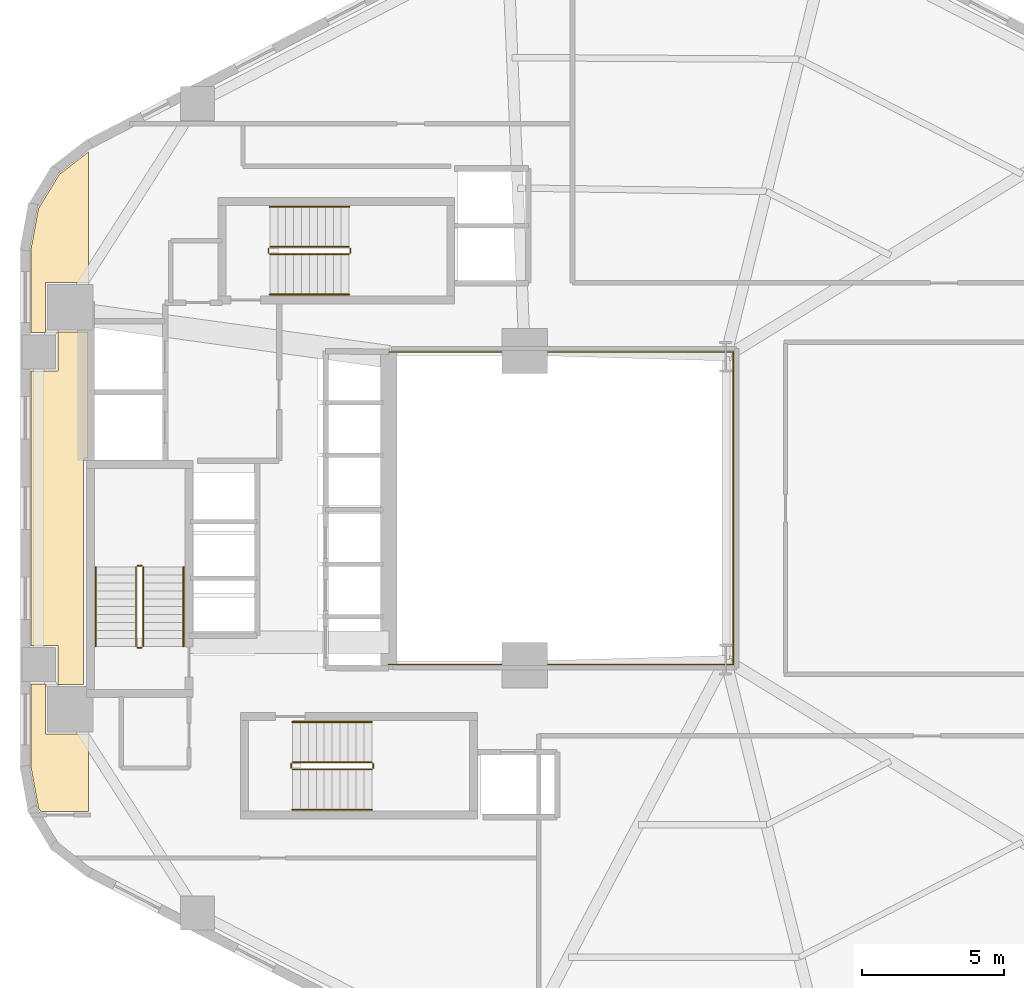
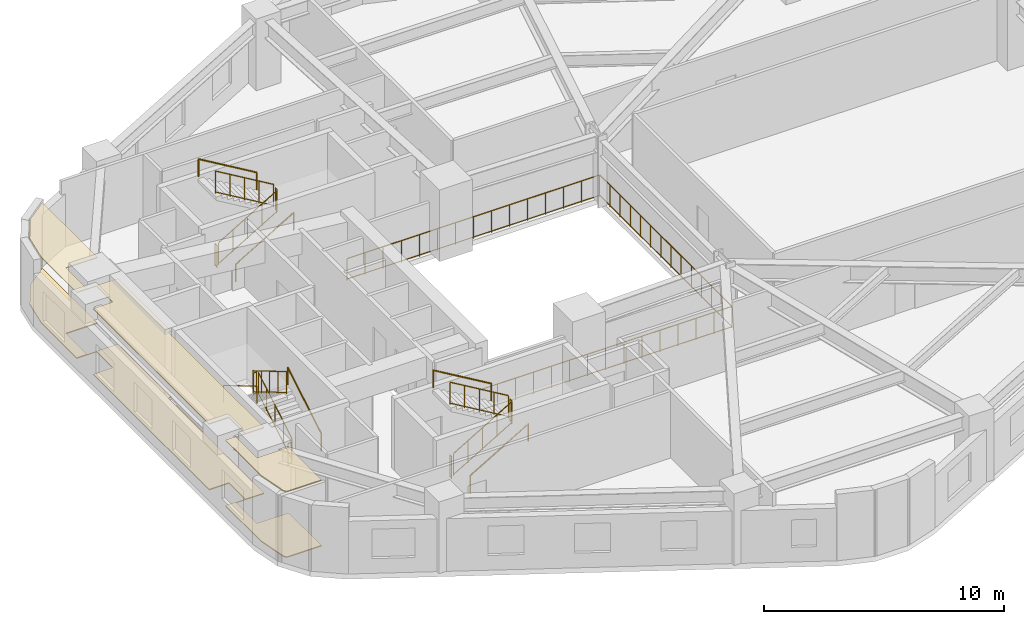
# One storey, part 6 of 6: 19 railings, 2 coverings.
"""IFC4 building model written with IfcOpenShell, lengths in metres."""

from ifc_helpers import new_model, si_unit, direction, frame, origin, origin_2d, place, context, subcontext, project, spatial, polyline, circle, outline, extrude, material, layer, layer_set, type_object, element, save


model = new_model("IFC4")

# Units and contexts
model_context = context("Model", 3, precision=1e-05, world=origin(), true_north=direction((0.0, 1.0)))
body_context = subcontext(model_context, "Body", "Model", "MODEL_VIEW")
ifc_project = project(units=[si_unit("LENGTHUNIT", "METRE"), si_unit("AREAUNIT", "SQUARE_METRE"), si_unit("VOLUMEUNIT", "CUBIC_METRE"), si_unit("PLANEANGLEUNIT", "RADIAN"), si_unit("MASSUNIT", "GRAM", prefix="KILO"), si_unit("THERMODYNAMICTEMPERATUREUNIT", "KELVIN"), si_unit("POWERUNIT", "WATT")], contexts=[model_context])

# Site, building, storey
site_placement = place(None, origin())
site = spatial("IfcSite", under=ifc_project, at=site_placement, CompositionType="ELEMENT")
building_placement = place(site_placement, origin())
building = spatial("IfcBuilding", under=site, at=building_placement, Name="Skarre Station Tower", CompositionType="ELEMENT")
storey_placement = place(building_placement, frame((0.0, 0.0, 30.64990234375)))
storey = spatial("IfcBuildingStorey", under=building, at=storey_placement, Name="L07", CompositionType="ELEMENT", Elevation=30.64990234375)

# Railing
ifc_material_1 = material(Name="Bronze Anodized Steel & Laminated Glass Balustrade", Category="steel")
railing_type_1 = type_object("IfcRailingType", Name="Atrium Void & Mezzanine Guard Balustrade 1120", PredefinedType="GUARDRAIL", material=ifc_material_1)
railing_1_placement = place(storey_placement, frame((27.550048828125, 18.47998046875, 0.0)))
element("IfcRailing", 1, at=railing_1_placement, inside=storey, type_object=railing_type_1, Name="L07 Atrium Void Guard Balustrade", PredefinedType="GUARDRAIL", context=body_context, shape_type="SweptSolid", body=[
    extrude(circle(Radius=0.02392578125, at=origin_2d()), frame((0.0, 0.0, 1.09619140625), z_axis=(1.0, 0.0, 0.0), x_axis=(0.0, 1.0, 0.0)), (0.0, 0.0, 1.0), 12.169921875),
    extrude(circle(Radius=0.02099609375, at=origin_2d()), frame((0.0, 0.0, 0.06005859375), z_axis=(1.0, 0.0, 0.0), x_axis=(0.0, 1.0, 0.0)), (0.0, 0.0, 1.0), 12.169921875),
    extrude(circle(Radius=0.02392578125, at=origin_2d()), frame((12.169921875, 0.0, 1.09619140625), z_axis=(0.0, 1.0, 0.0), x_axis=(-1.0, 0.0, 0.0)), (0.0, 0.0, 1.0), 11.0400390625),
    extrude(circle(Radius=0.02099609375, at=origin_2d()), frame((12.169921875, 0.0, 0.06005859375), z_axis=(0.0, 1.0, 0.0), x_axis=(-1.0, 0.0, 0.0)), (0.0, 0.0, 1.0), 11.0400390625),
    extrude(circle(Radius=0.02392578125, at=origin_2d()), frame((12.169921875, 11.0400390625, 1.09619140625), z_axis=(-1.0, 0.0, 0.0), x_axis=(0.0, -1.0, 0.0)), (0.0, 0.0, 1.0), 12.169921875),
    extrude(circle(Radius=0.02099609375, at=origin_2d()), frame((12.169921875, 11.0400390625, 0.06005859375), z_axis=(-1.0, 0.0, 0.0), x_axis=(0.0, -1.0, 0.0)), (0.0, 0.0, 1.0), 12.169921875),
    extrude(circle(Radius=0.02099609375, at=origin_2d()), origin(), (0.0, 0.0, 1.0), 1.072021484375),
    extrude(circle(Radius=0.02099609375, at=origin_2d()), frame((0.869384765625, 0.0, 0.0)), (0.0, 0.0, 1.0), 1.072021484375),
    extrude(circle(Radius=0.02099609375, at=origin_2d()), frame((1.738525390625, 0.0, 0.0)), (0.0, 0.0, 1.0), 1.072021484375),
    extrude(circle(Radius=0.02099609375, at=origin_2d()), frame((2.60791015625, 0.0, 0.0)), (0.0, 0.0, 1.0), 1.072021484375),
    extrude(circle(Radius=0.02099609375, at=origin_2d()), frame((3.47705078125, 0.0, 0.0)), (0.0, 0.0, 1.0), 1.072021484375),
    extrude(circle(Radius=0.02099609375, at=origin_2d()), frame((4.346435546875, 0.0, 0.0)), (0.0, 0.0, 1.0), 1.072021484375),
    extrude(circle(Radius=0.02099609375, at=origin_2d()), frame((5.215576171875, 0.0, 0.0)), (0.0, 0.0, 1.0), 1.072021484375),
    extrude(circle(Radius=0.02099609375, at=origin_2d()), frame((6.0849609375, 0.0, 0.0)), (0.0, 0.0, 1.0), 1.072021484375),
    extrude(circle(Radius=0.02099609375, at=origin_2d()), frame((6.954345703125, 0.0, 0.0)), (0.0, 0.0, 1.0), 1.072021484375),
    extrude(circle(Radius=0.02099609375, at=origin_2d()), frame((7.823486328125, 0.0, 0.0)), (0.0, 0.0, 1.0), 1.072021484375),
    extrude(circle(Radius=0.02099609375, at=origin_2d()), frame((8.69287109375, 0.0, 0.0)), (0.0, 0.0, 1.0), 1.072021484375),
    extrude(circle(Radius=0.02099609375, at=origin_2d()), frame((9.56201171875, 0.0, 0.0)), (0.0, 0.0, 1.0), 1.072021484375),
    extrude(circle(Radius=0.02099609375, at=origin_2d()), frame((10.431396484375, 0.0, 0.0)), (0.0, 0.0, 1.0), 1.072021484375),
    extrude(circle(Radius=0.02099609375, at=origin_2d()), frame((11.300537109375, 0.0, 0.0)), (0.0, 0.0, 1.0), 1.072021484375),
    extrude(circle(Radius=0.02099609375, at=origin_2d()), frame((12.169921875, 0.0, 0.0)), (0.0, 0.0, 1.0), 1.072021484375),
    extrude(circle(Radius=0.02099609375, at=origin_2d()), frame((12.169921875, 0.84912109375, 0.0)), (0.0, 0.0, 1.0), 1.072021484375),
    extrude(circle(Radius=0.02099609375, at=origin_2d()), frame((12.169921875, 1.698486328125, 0.0)), (0.0, 0.0, 1.0), 1.072021484375),
    extrude(circle(Radius=0.02099609375, at=origin_2d()), frame((12.169921875, 2.547607421875, 0.0)), (0.0, 0.0, 1.0), 1.072021484375),
    extrude(circle(Radius=0.02099609375, at=origin_2d()), frame((12.169921875, 3.39697265625, 0.0)), (0.0, 0.0, 1.0), 1.072021484375),
    extrude(circle(Radius=0.02099609375, at=origin_2d()), frame((12.169921875, 4.24609375, 0.0)), (0.0, 0.0, 1.0), 1.072021484375),
    extrude(circle(Radius=0.02099609375, at=origin_2d()), frame((12.169921875, 5.095458984375, 0.0)), (0.0, 0.0, 1.0), 1.072021484375),
    extrude(circle(Radius=0.02099609375, at=origin_2d()), frame((12.169921875, 5.944580078125, 0.0)), (0.0, 0.0, 1.0), 1.072021484375),
    extrude(circle(Radius=0.02099609375, at=origin_2d()), frame((12.169921875, 6.7939453125, 0.0)), (0.0, 0.0, 1.0), 1.072021484375),
    extrude(circle(Radius=0.02099609375, at=origin_2d()), frame((12.169921875, 7.64306640625, 0.0)), (0.0, 0.0, 1.0), 1.072021484375),
    extrude(circle(Radius=0.02099609375, at=origin_2d()), frame((12.169921875, 8.492431640625, 0.0)), (0.0, 0.0, 1.0), 1.072021484375),
    extrude(circle(Radius=0.02099609375, at=origin_2d()), frame((12.169921875, 9.341552734375, 0.0)), (0.0, 0.0, 1.0), 1.072021484375),
    extrude(circle(Radius=0.02099609375, at=origin_2d()), frame((12.169921875, 10.19091796875, 0.0)), (0.0, 0.0, 1.0), 1.072021484375),
    extrude(circle(Radius=0.02099609375, at=origin_2d()), frame((12.169921875, 11.0400390625, 0.0)), (0.0, 0.0, 1.0), 1.072021484375),
    extrude(circle(Radius=0.02099609375, at=origin_2d()), frame((11.300537109375, 11.0400390625, 0.0)), (0.0, 0.0, 1.0), 1.072021484375),
    extrude(circle(Radius=0.02099609375, at=origin_2d()), frame((10.431396484375, 11.0400390625, 0.0)), (0.0, 0.0, 1.0), 1.072021484375),
    extrude(circle(Radius=0.02099609375, at=origin_2d()), frame((9.56201171875, 11.0400390625, 0.0)), (0.0, 0.0, 1.0), 1.072021484375),
    extrude(circle(Radius=0.02099609375, at=origin_2d()), frame((8.69287109375, 11.0400390625, 0.0)), (0.0, 0.0, 1.0), 1.072021484375),
    extrude(circle(Radius=0.02099609375, at=origin_2d()), frame((7.823486328125, 11.0400390625, 0.0)), (0.0, 0.0, 1.0), 1.072021484375),
    extrude(circle(Radius=0.02099609375, at=origin_2d()), frame((6.954345703125, 11.0400390625, 0.0)), (0.0, 0.0, 1.0), 1.072021484375),
    extrude(circle(Radius=0.02099609375, at=origin_2d()), frame((6.0849609375, 11.0400390625, 0.0)), (0.0, 0.0, 1.0), 1.072021484375),
    extrude(circle(Radius=0.02099609375, at=origin_2d()), frame((5.215576171875, 11.0400390625, 0.0)), (0.0, 0.0, 1.0), 1.072021484375),
    extrude(circle(Radius=0.02099609375, at=origin_2d()), frame((4.346435546875, 11.0400390625, 0.0)), (0.0, 0.0, 1.0), 1.072021484375),
    extrude(circle(Radius=0.02099609375, at=origin_2d()), frame((3.47705078125, 11.0400390625, 0.0)), (0.0, 0.0, 1.0), 1.072021484375),
    extrude(circle(Radius=0.02099609375, at=origin_2d()), frame((2.60791015625, 11.0400390625, 0.0)), (0.0, 0.0, 1.0), 1.072021484375),
    extrude(circle(Radius=0.02099609375, at=origin_2d()), frame((1.738525390625, 11.0400390625, 0.0)), (0.0, 0.0, 1.0), 1.072021484375),
    extrude(circle(Radius=0.02099609375, at=origin_2d()), frame((0.869384765625, 11.0400390625, 0.0)), (0.0, 0.0, 1.0), 1.072021484375),
    extrude(circle(Radius=0.02099609375, at=origin_2d()), frame((0.0, 11.0400390625, 0.0)), (0.0, 0.0, 1.0), 1.072021484375),
])

# Coverings
ifc_material_2 = material(Name="Honed Jura Limestone & Calcium-Sulfate Access Tile", Category="masonry")
ifc_layer_1 = layer(ifc_material_2, 0.050048828125, Name="Honed Jura Limestone & Calcium-Sulfate Access Tile")
ifc_layer_set_1 = layer_set([ifc_layer_1], Name="Honed Jura Limestone & Calcium-Sulfate Access Tile")
covering_type_1 = type_object("IfcCoveringType", Name="Honed Limestone & Raised Access Floor Finish 50", PredefinedType="FLOORING", material=ifc_layer_set_1)
covering_1_placement = place(storey_placement, origin())
element("IfcCovering", 2, at=covering_1_placement, inside=storey, type_object=covering_type_1, Name="L07 Limestone Access Flooring 1", PredefinedType="FLOORING", context=body_context, shape_type="SweptSolid", body=[
    extrude(outline(polyline([(16.93994140625, 36.583984375), (15.910888671875, 35.787109375), (15.178955078125, 34.5859375), (14.9169921875, 33.1669921875), (14.9169921875, 30.200927734375), (15.866943359375, 30.200927734375), (15.866943359375, 28.841064453125), (14.9169921875, 28.841064453125), (14.9169921875, 19.158935546875), (15.866943359375, 19.158935546875), (15.866943359375, 17.799072265625), (14.9169921875, 17.799072265625), (14.9169921875, 14.8330078125), (15.178955078125, 13.4140625), (15.260986328125, 13.280029296875), (16.93994140625, 13.280029296875), (16.93994140625, 16.02001953125), (15.419921875, 16.02001953125), (15.419921875, 17.780029296875), (16.77001953125, 17.780029296875), (16.77001953125, 25.699951171875), (16.77001953125, 25.7080078125), (16.77197265625, 25.716064453125), (16.77294921875, 25.722900390625), (16.77587890625, 25.73095703125), (16.779052734375, 25.738037109375), (16.782958984375, 25.743896484375), (16.7880859375, 25.7509765625), (16.79296875, 25.757080078125), (16.799072265625, 25.761962890625), (16.805908203125, 25.76708984375), (16.81201171875, 25.77099609375), (16.819091796875, 25.77392578125), (16.826904296875, 25.777099609375), (16.833984375, 25.778076171875), (16.842041015625, 25.780029296875), (16.85009765625, 25.780029296875), (16.919921875, 25.780029296875), (16.919921875, 30.219970703125), (15.419921875, 30.219970703125), (15.419921875, 31.97998046875), (16.93994140625, 31.97998046875), (16.93994140625, 36.583984375)])), origin(), (0.0, 0.0, 1.0), 0.050048828125),
])
ifc_material_3 = material(Name="Perforated Nordic Birch Veneer & Mineral Wool", Category="wood")
ifc_layer_2 = layer(ifc_material_3, 0.044921875, Name="Perforated Nordic Birch Veneer & Mineral Wool")
ifc_layer_set_2 = layer_set([ifc_layer_2], Name="Perforated Nordic Birch Veneer & Mineral Wool")
covering_type_2 = type_object("IfcCoveringType", Name="Nordic Birch Slatted Acoustic Suspended Ceiling 45", PredefinedType="CEILING", material=ifc_layer_set_2)
covering_2_placement = place(storey_placement, frame((0.0, 0.0, 3.34521484375)))
element("IfcCovering", 3, at=covering_2_placement, inside=storey, type_object=covering_type_2, Name="L07 Acoustic Birch Ceiling 1", PredefinedType="CEILING", context=body_context, shape_type="SweptSolid", body=[
    extrude(outline(polyline([(16.93994140625, 36.583984375), (15.910888671875, 35.787109375), (15.178955078125, 34.5859375), (14.9169921875, 33.1669921875), (14.9169921875, 30.200927734375), (15.866943359375, 30.200927734375), (15.866943359375, 28.841064453125), (14.9169921875, 28.841064453125), (14.9169921875, 19.158935546875), (15.866943359375, 19.158935546875), (15.866943359375, 17.799072265625), (14.9169921875, 17.799072265625), (14.9169921875, 14.8330078125), (15.178955078125, 13.4140625), (15.260986328125, 13.280029296875), (16.93994140625, 13.280029296875), (16.93994140625, 16.02001953125), (15.419921875, 16.02001953125), (15.419921875, 17.780029296875), (16.77001953125, 17.780029296875), (16.77001953125, 25.699951171875), (16.77001953125, 25.7080078125), (16.77197265625, 25.716064453125), (16.77294921875, 25.722900390625), (16.77587890625, 25.73095703125), (16.779052734375, 25.738037109375), (16.782958984375, 25.743896484375), (16.7880859375, 25.7509765625), (16.79296875, 25.757080078125), (16.799072265625, 25.761962890625), (16.805908203125, 25.76708984375), (16.81201171875, 25.77099609375), (16.819091796875, 25.77392578125), (16.826904296875, 25.777099609375), (16.833984375, 25.778076171875), (16.842041015625, 25.780029296875), (16.85009765625, 25.780029296875), (16.919921875, 25.780029296875), (16.919921875, 30.219970703125), (15.419921875, 30.219970703125), (15.419921875, 31.97998046875), (16.93994140625, 31.97998046875), (16.93994140625, 36.583984375)])), origin(), (0.0, 0.0, 1.0), 0.044921875),
])

# Railings
ifc_material_4 = material(Name="Powder-Coated Tubular Steel", Category="steel")
railing_type_2 = type_object("IfcRailingType", Name="Painted Steel Ramp & Stair Handrail 920", PredefinedType="HANDRAIL", material=ifc_material_4)
railing_2_placement = place(storey_placement, frame((20.300048828125, 19.1201171875, 0.166015625)))
element("IfcRailing", 4, at=railing_2_placement, inside=storey, type_object=railing_type_2, Name="L07 ST-1 stair handrail 1", PredefinedType="HANDRAIL", context=body_context, shape_type="SweptSolid", body=[
    extrude(circle(Radius=0.02392578125, at=origin_2d()), frame((0.0, 0.0, 0.8759765625), z_axis=(0.0, 0.860286659441, 0.509810615413), x_axis=(-1.0, 0.0, 0.0)), (0.0, 0.0, 1.0), 3.25439453125),
    extrude(circle(Radius=0.02099609375, at=origin_2d()), origin(), (0.0, 0.0, 1.0), 0.851806640625),
    extrude(circle(Radius=0.02099609375, at=origin_2d()), frame((0.0, 2.7998046875, 1.6591796875)), (0.0, 0.0, 1.0), 0.851806640625),
])
railing_3_placement = place(storey_placement, frame((17.199951171875, 21.919921875, 1.990966796875)))
element("IfcRailing", 5, at=railing_3_placement, inside=storey, type_object=railing_type_2, Name="L07 ST-1 stair handrail 2", PredefinedType="HANDRAIL", context=body_context, shape_type="SweptSolid", body=[
    extrude(circle(Radius=0.02392578125, at=origin_2d()), frame((0.0, 0.0, 0.8759765625), z_axis=(0.0, -0.860286659441, 0.509810615413), x_axis=(1.0, 0.0, 0.0)), (0.0, 0.0, 1.0), 3.25439453125),
    extrude(circle(Radius=0.02099609375, at=origin_2d()), origin(), (0.0, 0.0, 1.0), 0.851806640625),
    extrude(circle(Radius=0.02099609375, at=origin_2d()), frame((0.0, -2.7998046875, 1.6591796875)), (0.0, 0.0, 1.0), 0.851806640625),
])
railing_4_placement = place(storey_placement, frame((24.14990234375, 13.35009765625, 0.166015625)))
element("IfcRailing", 6, at=railing_4_placement, inside=storey, type_object=railing_type_2, Name="L07 ST-2 stair handrail 1", PredefinedType="HANDRAIL", context=body_context, shape_type="SweptSolid", body=[
    extrude(circle(Radius=0.02392578125, at=origin_2d()), frame((0.0, 0.0, 0.8759765625), z_axis=(0.860306154799, 0.0, 0.50977771628), x_axis=(0.0, 1.0, 0.0)), (0.0, 0.0, 1.0), 3.254638671875),
    extrude(circle(Radius=0.02099609375, at=origin_2d()), origin(), (0.0, 0.0, 1.0), 0.851806640625),
    extrude(circle(Radius=0.02099609375, at=origin_2d()), frame((2.800048828125, 0.0, 1.6591796875)), (0.0, 0.0, 1.0), 0.851806640625),
])
railing_5_placement = place(storey_placement, frame((26.949951171875, 16.449951171875, 1.990966796875)))
element("IfcRailing", 7, at=railing_5_placement, inside=storey, type_object=railing_type_2, Name="L07 ST-2 stair handrail 2", PredefinedType="HANDRAIL", context=body_context, shape_type="SweptSolid", body=[
    extrude(circle(Radius=0.02392578125, at=origin_2d()), frame((0.0, 0.0, 0.8759765625), z_axis=(-0.860306154799, 0.0, 0.50977771628), x_axis=(0.0, -1.0, 0.0)), (0.0, 0.0, 1.0), 3.254638671875),
    extrude(circle(Radius=0.02099609375, at=origin_2d()), origin(), (0.0, 0.0, 1.0), 0.851806640625),
    extrude(circle(Radius=0.02099609375, at=origin_2d()), frame((-2.800048828125, 0.0, 1.6591796875)), (0.0, 0.0, 1.0), 0.851806640625),
])
railing_6_placement = place(storey_placement, frame((23.35009765625, 31.550048828125, 0.166015625)))
element("IfcRailing", 8, at=railing_6_placement, inside=storey, type_object=railing_type_2, Name="L07 ST-3 stair handrail 1", PredefinedType="HANDRAIL", context=body_context, shape_type="SweptSolid", body=[
    extrude(circle(Radius=0.02392578125, at=origin_2d()), frame((0.0, 0.0, 0.8759765625), z_axis=(0.860286659441, 0.0, 0.509810615413), x_axis=(0.0, 1.0, 0.0)), (0.0, 0.0, 1.0), 3.25439453125),
    extrude(circle(Radius=0.02099609375, at=origin_2d()), origin(), (0.0, 0.0, 1.0), 0.851806640625),
    extrude(circle(Radius=0.02099609375, at=origin_2d()), frame((2.7998046875, 0.0, 1.6591796875)), (0.0, 0.0, 1.0), 0.851806640625),
])
railing_7_placement = place(storey_placement, frame((26.14990234375, 34.64990234375, 1.990966796875)))
element("IfcRailing", 9, at=railing_7_placement, inside=storey, type_object=railing_type_2, Name="L07 ST-3 stair handrail 2", PredefinedType="HANDRAIL", context=body_context, shape_type="SweptSolid", body=[
    extrude(circle(Radius=0.02392578125, at=origin_2d()), frame((0.0, 0.0, 0.8759765625), z_axis=(-0.860286659441, 0.0, 0.509810615413), x_axis=(0.0, -1.0, 0.0)), (0.0, 0.0, 1.0), 3.25439453125),
    extrude(circle(Radius=0.02099609375, at=origin_2d()), origin(), (0.0, 0.0, 1.0), 0.851806640625),
    extrude(circle(Radius=0.02099609375, at=origin_2d()), frame((-2.7998046875, 0.0, 1.6591796875)), (0.0, 0.0, 1.0), 0.851806640625),
])
railing_type_3 = type_object("IfcRailingType", Name="Painted Steel Stairwell Guardrail 1100", PredefinedType="GUARDRAIL", material=ifc_material_4)
railing_8_placement = place(storey_placement, frame((18.8798828125, 19.1201171875, 0.166015625)))
element("IfcRailing", 10, at=railing_8_placement, inside=storey, type_object=railing_type_3, Name="L07 ST-1 stair guard 1", PredefinedType="GUARDRAIL", context=body_context, shape_type="SweptSolid", body=[
    extrude(circle(Radius=0.02392578125, at=origin_2d()), frame((0.0, 0.0, 1.1259765625), z_axis=(0.0, 0.860286659441, 0.509810615413), x_axis=(-1.0, 0.0, 0.0)), (0.0, 0.0, 1.0), 3.25439453125),
    extrude(circle(Radius=0.02099609375, at=origin_2d()), frame((0.0, 0.0, 0.06005859375), z_axis=(0.0, 0.860286659441, 0.509810615413), x_axis=(-1.0, 0.0, 0.0)), (0.0, 0.0, 1.0), 3.25439453125),
    extrude(circle(Radius=0.02099609375, at=origin_2d()), origin(), (0.0, 0.0, 1.0), 1.101806640625),
    extrude(circle(Radius=0.02099609375, at=origin_2d()), frame((0.0, 0.699951171875, 0.414794921875)), (0.0, 0.0, 1.0), 1.101806640625),
    extrude(circle(Radius=0.02099609375, at=origin_2d()), frame((0.0, 1.39990234375, 0.82958984375)), (0.0, 0.0, 1.0), 1.101806640625),
    extrude(circle(Radius=0.02099609375, at=origin_2d()), frame((0.0, 2.099853515625, 1.244384765625)), (0.0, 0.0, 1.0), 1.101806640625),
    extrude(circle(Radius=0.02099609375, at=origin_2d()), frame((0.0, 2.7998046875, 1.6591796875)), (0.0, 0.0, 1.0), 1.101806640625),
])
railing_9_placement = place(storey_placement, frame((18.830078125, 21.969970703125, 1.8251953125)))
element("IfcRailing", 11, at=railing_9_placement, inside=storey, type_object=railing_type_3, Name="L07 ST-1 stair guard 2", PredefinedType="GUARDRAIL", context=body_context, shape_type="SweptSolid", body=[
    extrude(circle(Radius=0.02392578125, at=origin_2d()), frame((0.0, 0.0, 1.1259765625), z_axis=(-1.0, 0.0, 0.0), x_axis=(0.0, -1.0, 0.0)), (0.0, 0.0, 1.0), 0.16015625),
    extrude(circle(Radius=0.02099609375, at=origin_2d()), frame((0.0, 0.0, 0.06005859375), z_axis=(-1.0, 0.0, 0.0), x_axis=(0.0, -1.0, 0.0)), (0.0, 0.0, 1.0), 0.16015625),
    extrude(circle(Radius=0.02099609375, at=origin_2d()), origin(), (0.0, 0.0, 1.0), 1.101806640625),
    extrude(circle(Radius=0.02099609375, at=origin_2d()), frame((-0.16015625, 0.0, 0.0)), (0.0, 0.0, 1.0), 1.101806640625),
])
railing_10_placement = place(storey_placement, frame((18.6201171875, 21.919921875, 1.990966796875)))
element("IfcRailing", 12, at=railing_10_placement, inside=storey, type_object=railing_type_3, Name="L07 ST-1 stair guard 3", PredefinedType="GUARDRAIL", context=body_context, shape_type="SweptSolid", body=[
    extrude(circle(Radius=0.02392578125, at=origin_2d()), frame((0.0, 0.0, 1.1259765625), z_axis=(0.0, -0.860286659441, 0.509810615413), x_axis=(1.0, 0.0, 0.0)), (0.0, 0.0, 1.0), 3.25439453125),
    extrude(circle(Radius=0.02099609375, at=origin_2d()), frame((0.0, 0.0, 0.06005859375), z_axis=(0.0, -0.860286659441, 0.509810615413), x_axis=(1.0, 0.0, 0.0)), (0.0, 0.0, 1.0), 3.25439453125),
    extrude(circle(Radius=0.02099609375, at=origin_2d()), origin(), (0.0, 0.0, 1.0), 1.101806640625),
    extrude(circle(Radius=0.02099609375, at=origin_2d()), frame((0.0, -0.699951171875, 0.414794921875)), (0.0, 0.0, 1.0), 1.101806640625),
    extrude(circle(Radius=0.02099609375, at=origin_2d()), frame((0.0, -1.39990234375, 0.82958984375)), (0.0, 0.0, 1.0), 1.101806640625),
    extrude(circle(Radius=0.02099609375, at=origin_2d()), frame((0.0, -2.099853515625, 1.244384765625)), (0.0, 0.0, 1.0), 1.101806640625),
    extrude(circle(Radius=0.02099609375, at=origin_2d()), frame((0.0, -2.7998046875, 1.6591796875)), (0.0, 0.0, 1.0), 1.101806640625),
])
railing_11_placement = place(storey_placement, frame((18.830078125, 19.070068359375, 0.0)))
element("IfcRailing", 13, at=railing_11_placement, inside=storey, type_object=railing_type_3, Name="L07 ST-1 stair guard 4", PredefinedType="GUARDRAIL", context=body_context, shape_type="SweptSolid", body=[
    extrude(circle(Radius=0.02392578125, at=origin_2d()), frame((0.0, 0.0, 1.1259765625), z_axis=(-1.0, 0.0, 0.0), x_axis=(0.0, -1.0, 0.0)), (0.0, 0.0, 1.0), 0.16015625),
    extrude(circle(Radius=0.02099609375, at=origin_2d()), frame((0.0, 0.0, 0.06005859375), z_axis=(-1.0, 0.0, 0.0), x_axis=(0.0, -1.0, 0.0)), (0.0, 0.0, 1.0), 0.16015625),
    extrude(circle(Radius=0.02099609375, at=origin_2d()), origin(), (0.0, 0.0, 1.0), 1.101806640625),
    extrude(circle(Radius=0.02099609375, at=origin_2d()), frame((-0.16015625, 0.0, 0.0)), (0.0, 0.0, 1.0), 1.101806640625),
])
railing_12_placement = place(storey_placement, frame((24.14990234375, 14.77001953125, 0.166015625)))
element("IfcRailing", 14, at=railing_12_placement, inside=storey, type_object=railing_type_3, Name="L07 ST-2 stair guard 1", PredefinedType="GUARDRAIL", context=body_context, shape_type="SweptSolid", body=[
    extrude(circle(Radius=0.02392578125, at=origin_2d()), frame((0.0, 0.0, 1.1259765625), z_axis=(0.860306154799, 0.0, 0.50977771628), x_axis=(0.0, 1.0, 0.0)), (0.0, 0.0, 1.0), 3.254638671875),
    extrude(circle(Radius=0.02099609375, at=origin_2d()), frame((0.0, 0.0, 0.06005859375), z_axis=(0.860306154799, 0.0, 0.50977771628), x_axis=(0.0, 1.0, 0.0)), (0.0, 0.0, 1.0), 3.254638671875),
    extrude(circle(Radius=0.02099609375, at=origin_2d()), origin(), (0.0, 0.0, 1.0), 1.101806640625),
    extrude(circle(Radius=0.02099609375, at=origin_2d()), frame((0.699951171875, 0.0, 0.414794921875)), (0.0, 0.0, 1.0), 1.101806640625),
    extrude(circle(Radius=0.02099609375, at=origin_2d()), frame((1.39990234375, 0.0, 0.82958984375)), (0.0, 0.0, 1.0), 1.101806640625),
    extrude(circle(Radius=0.02099609375, at=origin_2d()), frame((2.10009765625, 0.0, 1.244384765625)), (0.0, 0.0, 1.0), 1.101806640625),
    extrude(circle(Radius=0.02099609375, at=origin_2d()), frame((2.800048828125, 0.0, 1.6591796875)), (0.0, 0.0, 1.0), 1.101806640625),
])
railing_13_placement = place(storey_placement, frame((27.0, 14.820068359375, 1.8251953125)))
element("IfcRailing", 15, at=railing_13_placement, inside=storey, type_object=railing_type_3, Name="L07 ST-2 stair guard 2", PredefinedType="GUARDRAIL", context=body_context, shape_type="SweptSolid", body=[
    extrude(circle(Radius=0.02392578125, at=origin_2d()), frame((0.0, 0.0, 1.1259765625), z_axis=(0.0, 1.0, 0.0), x_axis=(-1.0, 0.0, 0.0)), (0.0, 0.0, 1.0), 0.159912109375),
    extrude(circle(Radius=0.02099609375, at=origin_2d()), frame((0.0, 0.0, 0.06005859375), z_axis=(0.0, 1.0, 0.0), x_axis=(-1.0, 0.0, 0.0)), (0.0, 0.0, 1.0), 0.159912109375),
    extrude(circle(Radius=0.02099609375, at=origin_2d()), origin(), (0.0, 0.0, 1.0), 1.101806640625),
    extrude(circle(Radius=0.02099609375, at=origin_2d()), frame((0.0, 0.159912109375, 0.0)), (0.0, 0.0, 1.0), 1.101806640625),
])
railing_14_placement = place(storey_placement, frame((26.949951171875, 15.030029296875, 1.990966796875)))
element("IfcRailing", 16, at=railing_14_placement, inside=storey, type_object=railing_type_3, Name="L07 ST-2 stair guard 3", PredefinedType="GUARDRAIL", context=body_context, shape_type="SweptSolid", body=[
    extrude(circle(Radius=0.02392578125, at=origin_2d()), frame((0.0, 0.0, 1.1259765625), z_axis=(-0.860306154799, 0.0, 0.50977771628), x_axis=(0.0, -1.0, 0.0)), (0.0, 0.0, 1.0), 3.254638671875),
    extrude(circle(Radius=0.02099609375, at=origin_2d()), frame((0.0, 0.0, 0.06005859375), z_axis=(-0.860306154799, 0.0, 0.50977771628), x_axis=(0.0, -1.0, 0.0)), (0.0, 0.0, 1.0), 3.254638671875),
    extrude(circle(Radius=0.02099609375, at=origin_2d()), origin(), (0.0, 0.0, 1.0), 1.101806640625),
    extrude(circle(Radius=0.02099609375, at=origin_2d()), frame((-0.699951171875, 0.0, 0.414794921875)), (0.0, 0.0, 1.0), 1.101806640625),
    extrude(circle(Radius=0.02099609375, at=origin_2d()), frame((-1.39990234375, 0.0, 0.82958984375)), (0.0, 0.0, 1.0), 1.101806640625),
    extrude(circle(Radius=0.02099609375, at=origin_2d()), frame((-2.10009765625, 0.0, 1.244384765625)), (0.0, 0.0, 1.0), 1.101806640625),
    extrude(circle(Radius=0.02099609375, at=origin_2d()), frame((-2.800048828125, 0.0, 1.6591796875)), (0.0, 0.0, 1.0), 1.101806640625),
])
railing_15_placement = place(storey_placement, frame((24.10009765625, 14.820068359375, 0.0)))
element("IfcRailing", 17, at=railing_15_placement, inside=storey, type_object=railing_type_3, Name="L07 ST-2 stair guard 4", PredefinedType="GUARDRAIL", context=body_context, shape_type="SweptSolid", body=[
    extrude(circle(Radius=0.02392578125, at=origin_2d()), frame((0.0, 0.0, 1.1259765625), z_axis=(0.0, 1.0, 0.0), x_axis=(-1.0, 0.0, 0.0)), (0.0, 0.0, 1.0), 0.159912109375),
    extrude(circle(Radius=0.02099609375, at=origin_2d()), frame((0.0, 0.0, 0.06005859375), z_axis=(0.0, 1.0, 0.0), x_axis=(-1.0, 0.0, 0.0)), (0.0, 0.0, 1.0), 0.159912109375),
    extrude(circle(Radius=0.02099609375, at=origin_2d()), origin(), (0.0, 0.0, 1.0), 1.101806640625),
    extrude(circle(Radius=0.02099609375, at=origin_2d()), frame((0.0, 0.159912109375, 0.0)), (0.0, 0.0, 1.0), 1.101806640625),
])
railing_16_placement = place(storey_placement, frame((23.35009765625, 32.969970703125, 0.166015625)))
element("IfcRailing", 18, at=railing_16_placement, inside=storey, type_object=railing_type_3, Name="L07 ST-3 stair guard 1", PredefinedType="GUARDRAIL", context=body_context, shape_type="SweptSolid", body=[
    extrude(circle(Radius=0.02392578125, at=origin_2d()), frame((0.0, 0.0, 1.1259765625), z_axis=(0.860286659441, 0.0, 0.509810615413), x_axis=(0.0, 1.0, 0.0)), (0.0, 0.0, 1.0), 3.25439453125),
    extrude(circle(Radius=0.02099609375, at=origin_2d()), frame((0.0, 0.0, 0.06005859375), z_axis=(0.860286659441, 0.0, 0.509810615413), x_axis=(0.0, 1.0, 0.0)), (0.0, 0.0, 1.0), 3.25439453125),
    extrude(circle(Radius=0.02099609375, at=origin_2d()), origin(), (0.0, 0.0, 1.0), 1.101806640625),
    extrude(circle(Radius=0.02099609375, at=origin_2d()), frame((0.699951171875, 0.0, 0.414794921875)), (0.0, 0.0, 1.0), 1.101806640625),
    extrude(circle(Radius=0.02099609375, at=origin_2d()), frame((1.39990234375, 0.0, 0.82958984375)), (0.0, 0.0, 1.0), 1.101806640625),
    extrude(circle(Radius=0.02099609375, at=origin_2d()), frame((2.099853515625, 0.0, 1.244384765625)), (0.0, 0.0, 1.0), 1.101806640625),
    extrude(circle(Radius=0.02099609375, at=origin_2d()), frame((2.7998046875, 0.0, 1.6591796875)), (0.0, 0.0, 1.0), 1.101806640625),
])
railing_17_placement = place(storey_placement, frame((26.199951171875, 33.02001953125, 1.8251953125)))
element("IfcRailing", 19, at=railing_17_placement, inside=storey, type_object=railing_type_3, Name="L07 ST-3 stair guard 2", PredefinedType="GUARDRAIL", context=body_context, shape_type="SweptSolid", body=[
    extrude(circle(Radius=0.02392578125, at=origin_2d()), frame((0.0, 0.0, 1.1259765625), z_axis=(0.0, 1.0, 0.0), x_axis=(-1.0, 0.0, 0.0)), (0.0, 0.0, 1.0), 0.159912109375),
    extrude(circle(Radius=0.02099609375, at=origin_2d()), frame((0.0, 0.0, 0.06005859375), z_axis=(0.0, 1.0, 0.0), x_axis=(-1.0, 0.0, 0.0)), (0.0, 0.0, 1.0), 0.159912109375),
    extrude(circle(Radius=0.02099609375, at=origin_2d()), origin(), (0.0, 0.0, 1.0), 1.101806640625),
    extrude(circle(Radius=0.02099609375, at=origin_2d()), frame((0.0, 0.159912109375, 0.0)), (0.0, 0.0, 1.0), 1.101806640625),
])
railing_18_placement = place(storey_placement, frame((26.14990234375, 33.22998046875, 1.990966796875)))
element("IfcRailing", 20, at=railing_18_placement, inside=storey, type_object=railing_type_3, Name="L07 ST-3 stair guard 3", PredefinedType="GUARDRAIL", context=body_context, shape_type="SweptSolid", body=[
    extrude(circle(Radius=0.02392578125, at=origin_2d()), frame((0.0, 0.0, 1.1259765625), z_axis=(-0.860286659441, 0.0, 0.509810615413), x_axis=(0.0, -1.0, 0.0)), (0.0, 0.0, 1.0), 3.25439453125),
    extrude(circle(Radius=0.02099609375, at=origin_2d()), frame((0.0, 0.0, 0.06005859375), z_axis=(-0.860286659441, 0.0, 0.509810615413), x_axis=(0.0, -1.0, 0.0)), (0.0, 0.0, 1.0), 3.25439453125),
    extrude(circle(Radius=0.02099609375, at=origin_2d()), origin(), (0.0, 0.0, 1.0), 1.101806640625),
    extrude(circle(Radius=0.02099609375, at=origin_2d()), frame((-0.699951171875, 0.0, 0.414794921875)), (0.0, 0.0, 1.0), 1.101806640625),
    extrude(circle(Radius=0.02099609375, at=origin_2d()), frame((-1.39990234375, 0.0, 0.82958984375)), (0.0, 0.0, 1.0), 1.101806640625),
    extrude(circle(Radius=0.02099609375, at=origin_2d()), frame((-2.099853515625, 0.0, 1.244384765625)), (0.0, 0.0, 1.0), 1.101806640625),
    extrude(circle(Radius=0.02099609375, at=origin_2d()), frame((-2.7998046875, 0.0, 1.6591796875)), (0.0, 0.0, 1.0), 1.101806640625),
])
railing_19_placement = place(storey_placement, frame((23.300048828125, 33.02001953125, 0.0)))
element("IfcRailing", 21, at=railing_19_placement, inside=storey, type_object=railing_type_3, Name="L07 ST-3 stair guard 4", PredefinedType="GUARDRAIL", context=body_context, shape_type="SweptSolid", body=[
    extrude(circle(Radius=0.02392578125, at=origin_2d()), frame((0.0, 0.0, 1.1259765625), z_axis=(0.0, 1.0, 0.0), x_axis=(-1.0, 0.0, 0.0)), (0.0, 0.0, 1.0), 0.159912109375),
    extrude(circle(Radius=0.02099609375, at=origin_2d()), frame((0.0, 0.0, 0.06005859375), z_axis=(0.0, 1.0, 0.0), x_axis=(-1.0, 0.0, 0.0)), (0.0, 0.0, 1.0), 0.159912109375),
    extrude(circle(Radius=0.02099609375, at=origin_2d()), origin(), (0.0, 0.0, 1.0), 1.101806640625),
    extrude(circle(Radius=0.02099609375, at=origin_2d()), frame((0.0, 0.159912109375, 0.0)), (0.0, 0.0, 1.0), 1.101806640625),
])

save(model, "model.ifc")
